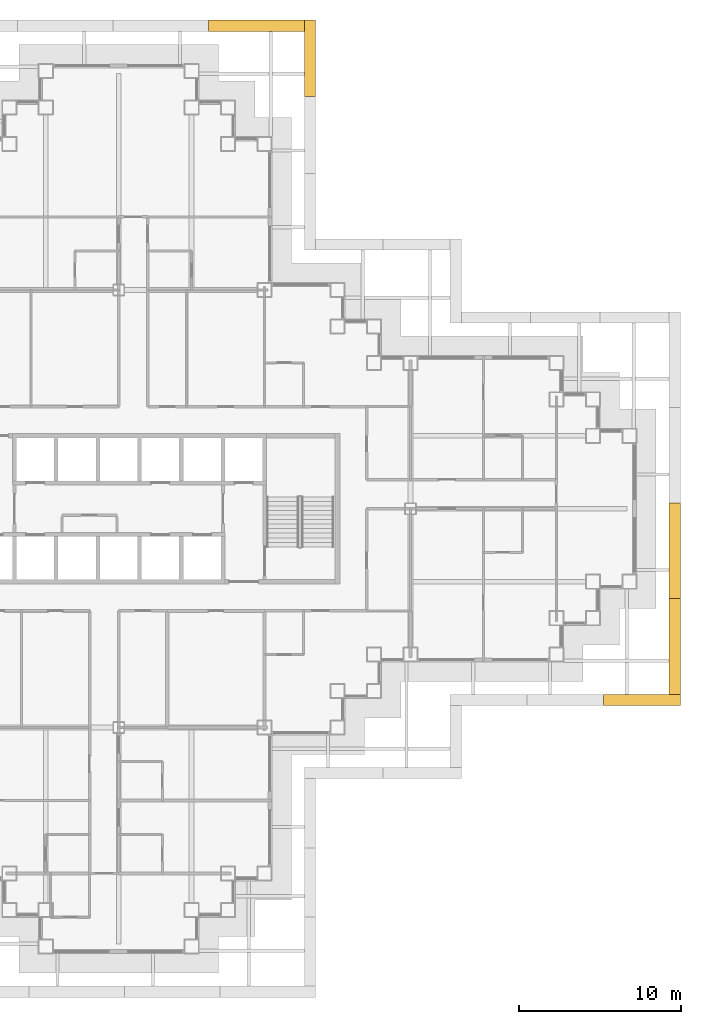
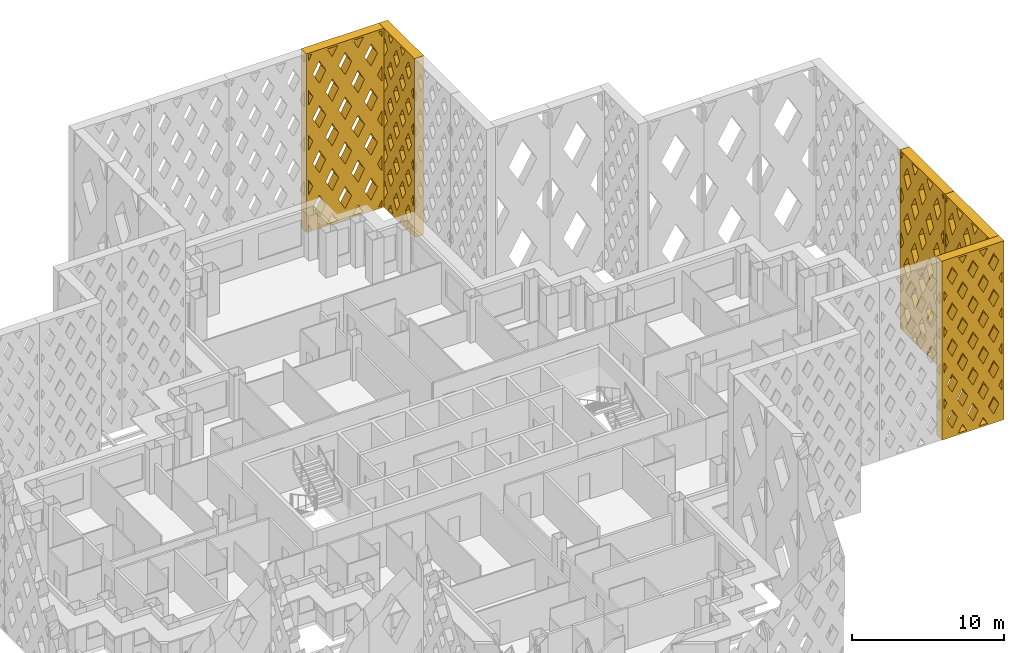
# One storey, part 20 of 21: 5 shading devices.
"""IFC4 building model written with IfcOpenShell, lengths in metres."""

from ifc_helpers import new_model, si_unit, direction, frame, origin, place, context, subcontext, project, spatial, polyline, outline, extrude, material, type_object, element, save


model = new_model("IFC4")

# Units and contexts
model_context = context("Model", 3, precision=1e-05, world=origin(), true_north=direction((0.0, 1.0)))
body_context = subcontext(model_context, "Body", "Model", "MODEL_VIEW")
ifc_project = project(units=[si_unit("LENGTHUNIT", "METRE"), si_unit("AREAUNIT", "SQUARE_METRE"), si_unit("VOLUMEUNIT", "CUBIC_METRE"), si_unit("PLANEANGLEUNIT", "RADIAN"), si_unit("MASSUNIT", "GRAM", prefix="KILO")], contexts=[model_context])

# Site, building, storey
site_placement = place(None, origin())
site = spatial("IfcSite", under=ifc_project, at=site_placement, CompositionType="ELEMENT")
building_placement = place(site_placement, origin())
building = spatial("IfcBuilding", under=site, at=building_placement, Name="Caravel Reach Hotel and Residences", CompositionType="ELEMENT")
storey_placement = place(building_placement, frame((0.0, 0.0, 100.800048828125)))
storey = spatial("IfcBuildingStorey", under=building, at=storey_placement, Name="L24", CompositionType="ELEMENT", Elevation=100.800048828125)

# Shading devices
ifc_material_1 = material(Name="Black powder-coated aluminium", Category="aluminium")
shading_device_type_1 = type_object("IfcShadingDeviceType", Name="Diamond lattice screen panel 4733 x 14400", PredefinedType="USERDEFINED", material=ifc_material_1)
shading_device_1_placement = place(storey_placement, frame((61.416748046875, 15.550048828125, 0.0), z_axis=(0.0, -1.0, 0.0), x_axis=(1.0, 0.0, 0.0)))
element("IfcShadingDevice", 1, at=shading_device_1_placement, inside=storey, type_object=shading_device_type_1, Name="Lattice screen L24-L27 6.3", ObjectType="SCREEN", PredefinedType="USERDEFINED", context=body_context, shape_type="SweptSolid", body=[
    extrude(outline(polyline([(0.0, 0.0), (4.7333984375, 0.0), (4.7333984375, 14.39990234375), (0.0, 14.39990234375), (0.0, 0.0)]), holes=[polyline([(0.39892578125, 2.8798828125), (0.14990234375, 3.334228515625), (0.14990234375, 2.42578125), (0.39892578125, 2.8798828125)]), polyline([(0.39892578125, 5.760009765625), (0.14990234375, 6.21435546875), (0.14990234375, 5.3056640625), (0.39892578125, 5.760009765625)]), polyline([(0.39892578125, 8.639892578125), (0.14990234375, 9.09423828125), (0.14990234375, 8.185791015625), (0.39892578125, 8.639892578125)]), polyline([(0.39892578125, 11.52001953125), (0.14990234375, 11.974365234375), (0.14990234375, 11.065673828125), (0.39892578125, 11.52001953125)]), polyline([(0.788818359375, 2.16796875), (0.39013671875, 1.43994140625), (0.788818359375, 0.7119140625), (1.187744140625, 1.43994140625), (0.788818359375, 2.16796875)]), polyline([(0.788818359375, 5.048095703125), (0.39013671875, 4.320068359375), (0.788818359375, 3.592041015625), (1.187744140625, 4.320068359375), (0.788818359375, 5.048095703125)]), polyline([(0.788818359375, 7.927978515625), (0.39013671875, 7.199951171875), (0.788818359375, 6.471923828125), (1.187744140625, 7.199951171875), (0.788818359375, 7.927978515625)]), polyline([(0.788818359375, 10.80810546875), (0.39013671875, 10.080078125), (0.788818359375, 9.35205078125), (1.187744140625, 10.080078125), (0.788818359375, 10.80810546875)]), polyline([(0.788818359375, 13.68798828125), (0.39013671875, 12.9599609375), (0.788818359375, 12.23193359375), (1.187744140625, 12.9599609375), (0.788818359375, 13.68798828125)]), polyline([(1.577880859375, 0.72802734375), (1.260986328125, 0.14990234375), (1.89453125, 0.14990234375), (1.577880859375, 0.72802734375)]), polyline([(1.577880859375, 3.608154296875), (1.178955078125, 2.8798828125), (1.577880859375, 2.15185546875), (1.9765625, 2.8798828125), (1.577880859375, 3.608154296875)]), polyline([(1.577880859375, 6.488037109375), (1.178955078125, 5.760009765625), (1.577880859375, 5.031982421875), (1.9765625, 5.760009765625), (1.577880859375, 6.488037109375)]), polyline([(1.577880859375, 9.3681640625), (1.178955078125, 8.639892578125), (1.577880859375, 7.911865234375), (1.9765625, 8.639892578125), (1.577880859375, 9.3681640625)]), polyline([(1.577880859375, 12.248046875), (1.178955078125, 11.52001953125), (1.577880859375, 10.7919921875), (1.9765625, 11.52001953125), (1.577880859375, 12.248046875)]), polyline([(1.577880859375, 13.671875), (1.89453125, 14.25), (1.260986328125, 14.25), (1.577880859375, 13.671875)]), polyline([(2.36669921875, 2.16796875), (1.9677734375, 1.43994140625), (2.36669921875, 0.7119140625), (2.765625, 1.43994140625), (2.36669921875, 2.16796875)]), polyline([(2.36669921875, 5.048095703125), (1.9677734375, 4.320068359375), (2.36669921875, 3.592041015625), (2.765625, 4.320068359375), (2.36669921875, 5.048095703125)]), polyline([(2.36669921875, 7.927978515625), (1.9677734375, 7.199951171875), (2.36669921875, 6.471923828125), (2.765625, 7.199951171875), (2.36669921875, 7.927978515625)]), polyline([(2.36669921875, 10.80810546875), (1.9677734375, 10.080078125), (2.36669921875, 9.35205078125), (2.765625, 10.080078125), (2.36669921875, 10.80810546875)]), polyline([(2.36669921875, 13.68798828125), (1.9677734375, 12.9599609375), (2.36669921875, 12.23193359375), (2.765625, 12.9599609375), (2.36669921875, 13.68798828125)]), polyline([(3.155517578125, 0.72802734375), (2.8388671875, 0.14990234375), (3.47216796875, 0.14990234375), (3.155517578125, 0.72802734375)]), polyline([(3.155517578125, 3.608154296875), (2.756591796875, 2.8798828125), (3.155517578125, 2.15185546875), (3.554443359375, 2.8798828125), (3.155517578125, 3.608154296875)]), polyline([(3.155517578125, 6.488037109375), (2.756591796875, 5.760009765625), (3.155517578125, 5.031982421875), (3.554443359375, 5.760009765625), (3.155517578125, 6.488037109375)]), polyline([(3.155517578125, 9.3681640625), (2.756591796875, 8.639892578125), (3.155517578125, 7.911865234375), (3.554443359375, 8.639892578125), (3.155517578125, 9.3681640625)]), polyline([(3.155517578125, 12.248046875), (2.756591796875, 11.52001953125), (3.155517578125, 10.7919921875), (3.554443359375, 11.52001953125), (3.155517578125, 12.248046875)]), polyline([(3.155517578125, 13.671875), (3.47216796875, 14.25), (2.8388671875, 14.25), (3.155517578125, 13.671875)]), polyline([(3.9443359375, 2.16796875), (3.545654296875, 1.43994140625), (3.9443359375, 0.7119140625), (4.34326171875, 1.43994140625), (3.9443359375, 2.16796875)]), polyline([(3.9443359375, 5.048095703125), (3.545654296875, 4.320068359375), (3.9443359375, 3.592041015625), (4.34326171875, 4.320068359375), (3.9443359375, 5.048095703125)]), polyline([(3.9443359375, 7.927978515625), (3.545654296875, 7.199951171875), (3.9443359375, 6.471923828125), (4.34326171875, 7.199951171875), (3.9443359375, 7.927978515625)]), polyline([(3.9443359375, 10.80810546875), (3.545654296875, 10.080078125), (3.9443359375, 9.35205078125), (4.34326171875, 10.080078125), (3.9443359375, 10.80810546875)]), polyline([(3.9443359375, 13.68798828125), (3.545654296875, 12.9599609375), (3.9443359375, 12.23193359375), (4.34326171875, 12.9599609375), (3.9443359375, 13.68798828125)]), polyline([(4.33447265625, 2.8798828125), (4.583251953125, 2.42578125), (4.583251953125, 3.334228515625), (4.33447265625, 2.8798828125)]), polyline([(4.33447265625, 5.760009765625), (4.583251953125, 5.3056640625), (4.583251953125, 6.21435546875), (4.33447265625, 5.760009765625)]), polyline([(4.33447265625, 8.639892578125), (4.583251953125, 8.185791015625), (4.583251953125, 9.09423828125), (4.33447265625, 8.639892578125)]), polyline([(4.33447265625, 11.52001953125), (4.583251953125, 11.065673828125), (4.583251953125, 11.974365234375), (4.33447265625, 11.52001953125)])]), origin(), (0.0, 0.0, 1.0), 0.699951171875),
])
shading_device_2_placement = place(storey_placement, frame((42.949951171875, 52.416748046875, 0.0), z_axis=(1.0, 0.0, 0.0), x_axis=(0.0, 1.0, 0.0)))
element("IfcShadingDevice", 2, at=shading_device_2_placement, inside=storey, type_object=shading_device_type_1, Name="Lattice screen L24-L27 11.3", ObjectType="SCREEN", PredefinedType="USERDEFINED", context=body_context, shape_type="SweptSolid", body=[
    extrude(outline(polyline([(0.0, 0.0), (4.7333984375, 0.0), (4.7333984375, 14.39990234375), (0.0, 14.39990234375), (0.0, 0.0)]), holes=[polyline([(0.39892578125, 2.8798828125), (0.14990234375, 3.334228515625), (0.14990234375, 2.42578125), (0.39892578125, 2.8798828125)]), polyline([(0.39892578125, 5.760009765625), (0.14990234375, 6.21435546875), (0.14990234375, 5.3056640625), (0.39892578125, 5.760009765625)]), polyline([(0.39892578125, 8.639892578125), (0.14990234375, 9.09423828125), (0.14990234375, 8.185791015625), (0.39892578125, 8.639892578125)]), polyline([(0.39892578125, 11.52001953125), (0.14990234375, 11.974365234375), (0.14990234375, 11.065673828125), (0.39892578125, 11.52001953125)]), polyline([(0.788818359375, 2.16796875), (0.39013671875, 1.43994140625), (0.788818359375, 0.7119140625), (1.187744140625, 1.43994140625), (0.788818359375, 2.16796875)]), polyline([(0.788818359375, 5.048095703125), (0.39013671875, 4.320068359375), (0.788818359375, 3.592041015625), (1.187744140625, 4.320068359375), (0.788818359375, 5.048095703125)]), polyline([(0.788818359375, 7.927978515625), (0.39013671875, 7.199951171875), (0.788818359375, 6.471923828125), (1.187744140625, 7.199951171875), (0.788818359375, 7.927978515625)]), polyline([(0.788818359375, 10.80810546875), (0.39013671875, 10.080078125), (0.788818359375, 9.35205078125), (1.187744140625, 10.080078125), (0.788818359375, 10.80810546875)]), polyline([(0.788818359375, 13.68798828125), (0.39013671875, 12.9599609375), (0.788818359375, 12.23193359375), (1.187744140625, 12.9599609375), (0.788818359375, 13.68798828125)]), polyline([(1.577880859375, 0.72802734375), (1.260986328125, 0.14990234375), (1.89453125, 0.14990234375), (1.577880859375, 0.72802734375)]), polyline([(1.577880859375, 3.608154296875), (1.178955078125, 2.8798828125), (1.577880859375, 2.15185546875), (1.9765625, 2.8798828125), (1.577880859375, 3.608154296875)]), polyline([(1.577880859375, 6.488037109375), (1.178955078125, 5.760009765625), (1.577880859375, 5.031982421875), (1.9765625, 5.760009765625), (1.577880859375, 6.488037109375)]), polyline([(1.577880859375, 9.3681640625), (1.178955078125, 8.639892578125), (1.577880859375, 7.911865234375), (1.9765625, 8.639892578125), (1.577880859375, 9.3681640625)]), polyline([(1.577880859375, 12.248046875), (1.178955078125, 11.52001953125), (1.577880859375, 10.7919921875), (1.9765625, 11.52001953125), (1.577880859375, 12.248046875)]), polyline([(1.577880859375, 13.671875), (1.89453125, 14.25), (1.260986328125, 14.25), (1.577880859375, 13.671875)]), polyline([(2.36669921875, 2.16796875), (1.9677734375, 1.43994140625), (2.36669921875, 0.7119140625), (2.765625, 1.43994140625), (2.36669921875, 2.16796875)]), polyline([(2.36669921875, 5.048095703125), (1.9677734375, 4.320068359375), (2.36669921875, 3.592041015625), (2.765625, 4.320068359375), (2.36669921875, 5.048095703125)]), polyline([(2.36669921875, 7.927978515625), (1.9677734375, 7.199951171875), (2.36669921875, 6.471923828125), (2.765625, 7.199951171875), (2.36669921875, 7.927978515625)]), polyline([(2.36669921875, 10.80810546875), (1.9677734375, 10.080078125), (2.36669921875, 9.35205078125), (2.765625, 10.080078125), (2.36669921875, 10.80810546875)]), polyline([(2.36669921875, 13.68798828125), (1.9677734375, 12.9599609375), (2.36669921875, 12.23193359375), (2.765625, 12.9599609375), (2.36669921875, 13.68798828125)]), polyline([(3.155517578125, 0.72802734375), (2.8388671875, 0.14990234375), (3.47216796875, 0.14990234375), (3.155517578125, 0.72802734375)]), polyline([(3.155517578125, 3.608154296875), (2.756591796875, 2.8798828125), (3.155517578125, 2.15185546875), (3.554443359375, 2.8798828125), (3.155517578125, 3.608154296875)]), polyline([(3.155517578125, 6.488037109375), (2.756591796875, 5.760009765625), (3.155517578125, 5.031982421875), (3.554443359375, 5.760009765625), (3.155517578125, 6.488037109375)]), polyline([(3.155517578125, 9.3681640625), (2.756591796875, 8.639892578125), (3.155517578125, 7.911865234375), (3.554443359375, 8.639892578125), (3.155517578125, 9.3681640625)]), polyline([(3.155517578125, 12.248046875), (2.756591796875, 11.52001953125), (3.155517578125, 10.7919921875), (3.554443359375, 11.52001953125), (3.155517578125, 12.248046875)]), polyline([(3.155517578125, 13.671875), (3.47216796875, 14.25), (2.8388671875, 14.25), (3.155517578125, 13.671875)]), polyline([(3.9443359375, 2.16796875), (3.545654296875, 1.43994140625), (3.9443359375, 0.7119140625), (4.34326171875, 1.43994140625), (3.9443359375, 2.16796875)]), polyline([(3.9443359375, 5.048095703125), (3.545654296875, 4.320068359375), (3.9443359375, 3.592041015625), (4.34326171875, 4.320068359375), (3.9443359375, 5.048095703125)]), polyline([(3.9443359375, 7.927978515625), (3.545654296875, 7.199951171875), (3.9443359375, 6.471923828125), (4.34326171875, 7.199951171875), (3.9443359375, 7.927978515625)]), polyline([(3.9443359375, 10.80810546875), (3.545654296875, 10.080078125), (3.9443359375, 9.35205078125), (4.34326171875, 10.080078125), (3.9443359375, 10.80810546875)]), polyline([(3.9443359375, 13.68798828125), (3.545654296875, 12.9599609375), (3.9443359375, 12.23193359375), (4.34326171875, 12.9599609375), (3.9443359375, 13.68798828125)]), polyline([(4.33447265625, 2.8798828125), (4.583251953125, 2.42578125), (4.583251953125, 3.334228515625), (4.33447265625, 2.8798828125)]), polyline([(4.33447265625, 5.760009765625), (4.583251953125, 5.3056640625), (4.583251953125, 6.21435546875), (4.33447265625, 5.760009765625)]), polyline([(4.33447265625, 8.639892578125), (4.583251953125, 8.185791015625), (4.583251953125, 9.09423828125), (4.33447265625, 8.639892578125)]), polyline([(4.33447265625, 11.52001953125), (4.583251953125, 11.065673828125), (4.583251953125, 11.974365234375), (4.33447265625, 11.52001953125)])]), origin(), (0.0, 0.0, 1.0), 0.699951171875),
])
ifc_material_2 = material(Name="Black powder-coated aluminium", Category="aluminium")
shading_device_type_2 = type_object("IfcShadingDeviceType", Name="Diamond lattice screen panel 5900 x 14400", PredefinedType="USERDEFINED", material=ifc_material_2)
shading_device_3_placement = place(storey_placement, frame((65.449951171875, 15.550048828125, 0.0), z_axis=(1.0, 0.0, 0.0), x_axis=(0.0, 1.0, 0.0)))
element("IfcShadingDevice", 3, at=shading_device_3_placement, inside=storey, type_object=shading_device_type_2, Name="Lattice screen L24-L27 7.1", ObjectType="SCREEN", PredefinedType="USERDEFINED", context=body_context, shape_type="SweptSolid", body=[
    extrude(outline(polyline([(0.0, 0.0), (5.89990234375, 0.0), (5.89990234375, 14.39990234375), (0.0, 14.39990234375), (0.0, 0.0)]), holes=[polyline([(0.40966796875, 0.14990234375), (0.14990234375, 0.62548828125), (0.14990234375, 0.14990234375), (0.40966796875, 0.14990234375)]), polyline([(0.49169921875, 3.60009765625), (0.14990234375, 4.2255859375), (0.14990234375, 2.974609375), (0.49169921875, 3.60009765625)]), polyline([(0.49169921875, 7.199951171875), (0.14990234375, 7.825439453125), (0.14990234375, 6.574462890625), (0.49169921875, 7.199951171875)]), polyline([(0.49169921875, 10.800048828125), (0.14990234375, 11.425537109375), (0.14990234375, 10.174560546875), (0.49169921875, 10.800048828125)]), polyline([(0.14990234375, 13.7744140625), (0.40966796875, 14.25), (0.14990234375, 14.25), (0.14990234375, 13.7744140625)]), polyline([(0.9833984375, 2.699951171875), (0.49169921875, 1.800048828125), (0.9833984375, 0.89990234375), (1.47509765625, 1.800048828125), (0.9833984375, 2.699951171875)]), polyline([(0.9833984375, 6.300048828125), (0.49169921875, 5.39990234375), (0.9833984375, 4.5), (1.47509765625, 5.39990234375), (0.9833984375, 6.300048828125)]), polyline([(0.9833984375, 9.900146484375), (0.49169921875, 9.0), (0.9833984375, 8.099853515625), (1.47509765625, 9.0), (0.9833984375, 9.900146484375)]), polyline([(0.9833984375, 13.5), (0.49169921875, 12.60009765625), (0.9833984375, 11.699951171875), (1.47509765625, 12.60009765625), (0.9833984375, 13.5)]), polyline([(1.966552734375, 0.900146484375), (1.556884765625, 0.14990234375), (2.37646484375, 0.14990234375), (1.966552734375, 0.900146484375)]), polyline([(1.966552734375, 4.5), (1.474853515625, 3.60009765625), (1.966552734375, 2.699951171875), (2.458251953125, 3.60009765625), (1.966552734375, 4.5)]), polyline([(1.966552734375, 8.10009765625), (1.474853515625, 7.199951171875), (1.966552734375, 6.300048828125), (2.458251953125, 7.199951171875), (1.966552734375, 8.10009765625)]), polyline([(1.966552734375, 11.699951171875), (1.474853515625, 10.800048828125), (1.966552734375, 9.89990234375), (2.458251953125, 10.800048828125), (1.966552734375, 11.699951171875)]), polyline([(1.966552734375, 13.5), (2.37646484375, 14.25), (1.556884765625, 14.25), (1.966552734375, 13.5)]), polyline([(2.949951171875, 2.699951171875), (2.458251953125, 1.800048828125), (2.949951171875, 0.89990234375), (3.441650390625, 1.800048828125), (2.949951171875, 2.699951171875)]), polyline([(2.949951171875, 6.300048828125), (2.458251953125, 5.39990234375), (2.949951171875, 4.5), (3.441650390625, 5.39990234375), (2.949951171875, 6.300048828125)]), polyline([(2.949951171875, 9.900146484375), (2.458251953125, 9.0), (2.949951171875, 8.099853515625), (3.441650390625, 9.0), (2.949951171875, 9.900146484375)]), polyline([(2.949951171875, 13.5), (2.458251953125, 12.60009765625), (2.949951171875, 11.699951171875), (3.441650390625, 12.60009765625), (2.949951171875, 13.5)]), polyline([(3.933349609375, 0.900146484375), (3.523681640625, 0.14990234375), (4.343017578125, 0.14990234375), (3.933349609375, 0.900146484375)]), polyline([(3.933349609375, 4.5), (3.441650390625, 3.60009765625), (3.933349609375, 2.699951171875), (4.425048828125, 3.60009765625), (3.933349609375, 4.5)]), polyline([(3.933349609375, 8.10009765625), (3.441650390625, 7.199951171875), (3.933349609375, 6.300048828125), (4.425048828125, 7.199951171875), (3.933349609375, 8.10009765625)]), polyline([(3.933349609375, 11.699951171875), (3.441650390625, 10.800048828125), (3.933349609375, 9.89990234375), (4.425048828125, 10.800048828125), (3.933349609375, 11.699951171875)]), polyline([(3.933349609375, 13.5), (4.343017578125, 14.25), (3.523681640625, 14.25), (3.933349609375, 13.5)]), polyline([(4.916748046875, 2.699951171875), (4.425048828125, 1.800048828125), (4.916748046875, 0.89990234375), (5.408447265625, 1.800048828125), (4.916748046875, 2.699951171875)]), polyline([(4.916748046875, 6.300048828125), (4.425048828125, 5.39990234375), (4.916748046875, 4.5), (5.408447265625, 5.39990234375), (4.916748046875, 6.300048828125)]), polyline([(4.916748046875, 9.900146484375), (4.425048828125, 9.0), (4.916748046875, 8.099853515625), (5.408447265625, 9.0), (4.916748046875, 9.900146484375)]), polyline([(4.916748046875, 13.5), (4.425048828125, 12.60009765625), (4.916748046875, 11.699951171875), (5.408447265625, 12.60009765625), (4.916748046875, 13.5)]), polyline([(5.75, 0.62548828125), (5.490234375, 0.14990234375), (5.75, 0.14990234375), (5.75, 0.62548828125)]), polyline([(5.408203125, 3.60009765625), (5.75, 2.974609375), (5.75, 4.2255859375), (5.408203125, 3.60009765625)]), polyline([(5.408203125, 7.199951171875), (5.75, 6.574462890625), (5.75, 7.825439453125), (5.408203125, 7.199951171875)]), polyline([(5.408203125, 10.800048828125), (5.75, 10.174560546875), (5.75, 11.425537109375), (5.408203125, 10.800048828125)]), polyline([(5.490234375, 14.25), (5.75, 13.7744140625), (5.75, 14.25), (5.490234375, 14.25)])]), origin(), (0.0, 0.0, 1.0), 0.699951171875),
])
shading_device_4_placement = place(storey_placement, frame((65.449951171875, 21.449951171875, 0.0), z_axis=(1.0, 0.0, 0.0), x_axis=(0.0, 1.0, 0.0)))
element("IfcShadingDevice", 4, at=shading_device_4_placement, inside=storey, type_object=shading_device_type_2, Name="Lattice screen L24-L27 7.2", ObjectType="SCREEN", PredefinedType="USERDEFINED", context=body_context, shape_type="SweptSolid", body=[
    extrude(outline(polyline([(0.0, 0.0), (5.89990234375, 0.0), (5.89990234375, 14.39990234375), (0.0, 14.39990234375), (0.0, 0.0)]), holes=[polyline([(0.40966796875, 0.14990234375), (0.14990234375, 0.62548828125), (0.14990234375, 0.14990234375), (0.40966796875, 0.14990234375)]), polyline([(0.49169921875, 3.60009765625), (0.14990234375, 4.2255859375), (0.14990234375, 2.974609375), (0.49169921875, 3.60009765625)]), polyline([(0.49169921875, 7.199951171875), (0.14990234375, 7.825439453125), (0.14990234375, 6.574462890625), (0.49169921875, 7.199951171875)]), polyline([(0.49169921875, 10.800048828125), (0.14990234375, 11.425537109375), (0.14990234375, 10.174560546875), (0.49169921875, 10.800048828125)]), polyline([(0.14990234375, 13.7744140625), (0.40966796875, 14.25), (0.14990234375, 14.25), (0.14990234375, 13.7744140625)]), polyline([(0.9833984375, 2.699951171875), (0.49169921875, 1.800048828125), (0.9833984375, 0.89990234375), (1.47509765625, 1.800048828125), (0.9833984375, 2.699951171875)]), polyline([(0.9833984375, 6.300048828125), (0.49169921875, 5.39990234375), (0.9833984375, 4.5), (1.47509765625, 5.39990234375), (0.9833984375, 6.300048828125)]), polyline([(0.9833984375, 9.900146484375), (0.49169921875, 9.0), (0.9833984375, 8.099853515625), (1.47509765625, 9.0), (0.9833984375, 9.900146484375)]), polyline([(0.9833984375, 13.5), (0.49169921875, 12.60009765625), (0.9833984375, 11.699951171875), (1.47509765625, 12.60009765625), (0.9833984375, 13.5)]), polyline([(1.966552734375, 0.900146484375), (1.556884765625, 0.14990234375), (2.37646484375, 0.14990234375), (1.966552734375, 0.900146484375)]), polyline([(1.966552734375, 4.5), (1.474853515625, 3.60009765625), (1.966552734375, 2.699951171875), (2.458251953125, 3.60009765625), (1.966552734375, 4.5)]), polyline([(1.966552734375, 8.10009765625), (1.474853515625, 7.199951171875), (1.966552734375, 6.300048828125), (2.458251953125, 7.199951171875), (1.966552734375, 8.10009765625)]), polyline([(1.966552734375, 11.699951171875), (1.474853515625, 10.800048828125), (1.966552734375, 9.89990234375), (2.458251953125, 10.800048828125), (1.966552734375, 11.699951171875)]), polyline([(1.966552734375, 13.5), (2.37646484375, 14.25), (1.556884765625, 14.25), (1.966552734375, 13.5)]), polyline([(2.949951171875, 2.699951171875), (2.458251953125, 1.800048828125), (2.949951171875, 0.89990234375), (3.441650390625, 1.800048828125), (2.949951171875, 2.699951171875)]), polyline([(2.949951171875, 6.300048828125), (2.458251953125, 5.39990234375), (2.949951171875, 4.5), (3.441650390625, 5.39990234375), (2.949951171875, 6.300048828125)]), polyline([(2.949951171875, 9.900146484375), (2.458251953125, 9.0), (2.949951171875, 8.099853515625), (3.441650390625, 9.0), (2.949951171875, 9.900146484375)]), polyline([(2.949951171875, 13.5), (2.458251953125, 12.60009765625), (2.949951171875, 11.699951171875), (3.441650390625, 12.60009765625), (2.949951171875, 13.5)]), polyline([(3.933349609375, 0.900146484375), (3.523681640625, 0.14990234375), (4.343017578125, 0.14990234375), (3.933349609375, 0.900146484375)]), polyline([(3.933349609375, 4.5), (3.441650390625, 3.60009765625), (3.933349609375, 2.699951171875), (4.425048828125, 3.60009765625), (3.933349609375, 4.5)]), polyline([(3.933349609375, 8.10009765625), (3.441650390625, 7.199951171875), (3.933349609375, 6.300048828125), (4.425048828125, 7.199951171875), (3.933349609375, 8.10009765625)]), polyline([(3.933349609375, 11.699951171875), (3.441650390625, 10.800048828125), (3.933349609375, 9.89990234375), (4.425048828125, 10.800048828125), (3.933349609375, 11.699951171875)]), polyline([(3.933349609375, 13.5), (4.343017578125, 14.25), (3.523681640625, 14.25), (3.933349609375, 13.5)]), polyline([(4.916748046875, 2.699951171875), (4.425048828125, 1.800048828125), (4.916748046875, 0.89990234375), (5.408447265625, 1.800048828125), (4.916748046875, 2.699951171875)]), polyline([(4.916748046875, 6.300048828125), (4.425048828125, 5.39990234375), (4.916748046875, 4.5), (5.408447265625, 5.39990234375), (4.916748046875, 6.300048828125)]), polyline([(4.916748046875, 9.900146484375), (4.425048828125, 9.0), (4.916748046875, 8.099853515625), (5.408447265625, 9.0), (4.916748046875, 9.900146484375)]), polyline([(4.916748046875, 13.5), (4.425048828125, 12.60009765625), (4.916748046875, 11.699951171875), (5.408447265625, 12.60009765625), (4.916748046875, 13.5)]), polyline([(5.75, 0.62548828125), (5.490234375, 0.14990234375), (5.75, 0.14990234375), (5.75, 0.62548828125)]), polyline([(5.408203125, 3.60009765625), (5.75, 2.974609375), (5.75, 4.2255859375), (5.408203125, 3.60009765625)]), polyline([(5.408203125, 7.199951171875), (5.75, 6.574462890625), (5.75, 7.825439453125), (5.408203125, 7.199951171875)]), polyline([(5.408203125, 10.800048828125), (5.75, 10.174560546875), (5.75, 11.425537109375), (5.408203125, 10.800048828125)]), polyline([(5.490234375, 14.25), (5.75, 13.7744140625), (5.75, 14.25), (5.490234375, 14.25)])]), origin(), (0.0, 0.0, 1.0), 0.699951171875),
])
shading_device_5_placement = place(storey_placement, frame((42.949951171875, 56.449951171875, 0.0), z_axis=(0.0, 1.0, 0.0), x_axis=(-1.0, 0.0, 0.0)))
element("IfcShadingDevice", 5, at=shading_device_5_placement, inside=storey, type_object=shading_device_type_2, Name="Lattice screen L24-L27 12.1", ObjectType="SCREEN", PredefinedType="USERDEFINED", context=body_context, shape_type="SweptSolid", body=[
    extrude(outline(polyline([(0.0, 0.0), (5.89990234375, 0.0), (5.89990234375, 14.39990234375), (0.0, 14.39990234375), (0.0, 0.0)]), holes=[polyline([(0.40966796875, 0.14990234375), (0.14990234375, 0.62548828125), (0.14990234375, 0.14990234375), (0.40966796875, 0.14990234375)]), polyline([(0.49169921875, 3.60009765625), (0.14990234375, 4.2255859375), (0.14990234375, 2.974609375), (0.49169921875, 3.60009765625)]), polyline([(0.49169921875, 7.199951171875), (0.14990234375, 7.825439453125), (0.14990234375, 6.574462890625), (0.49169921875, 7.199951171875)]), polyline([(0.49169921875, 10.800048828125), (0.14990234375, 11.425537109375), (0.14990234375, 10.174560546875), (0.49169921875, 10.800048828125)]), polyline([(0.14990234375, 13.7744140625), (0.40966796875, 14.25), (0.14990234375, 14.25), (0.14990234375, 13.7744140625)]), polyline([(0.9833984375, 2.699951171875), (0.49169921875, 1.800048828125), (0.9833984375, 0.89990234375), (1.47509765625, 1.800048828125), (0.9833984375, 2.699951171875)]), polyline([(0.9833984375, 6.300048828125), (0.49169921875, 5.39990234375), (0.9833984375, 4.5), (1.47509765625, 5.39990234375), (0.9833984375, 6.300048828125)]), polyline([(0.9833984375, 9.900146484375), (0.49169921875, 9.0), (0.9833984375, 8.099853515625), (1.47509765625, 9.0), (0.9833984375, 9.900146484375)]), polyline([(0.9833984375, 13.5), (0.49169921875, 12.60009765625), (0.9833984375, 11.699951171875), (1.47509765625, 12.60009765625), (0.9833984375, 13.5)]), polyline([(1.966552734375, 0.900146484375), (1.556884765625, 0.14990234375), (2.37646484375, 0.14990234375), (1.966552734375, 0.900146484375)]), polyline([(1.966552734375, 4.5), (1.474853515625, 3.60009765625), (1.966552734375, 2.699951171875), (2.458251953125, 3.60009765625), (1.966552734375, 4.5)]), polyline([(1.966552734375, 8.10009765625), (1.474853515625, 7.199951171875), (1.966552734375, 6.300048828125), (2.458251953125, 7.199951171875), (1.966552734375, 8.10009765625)]), polyline([(1.966552734375, 11.699951171875), (1.474853515625, 10.800048828125), (1.966552734375, 9.89990234375), (2.458251953125, 10.800048828125), (1.966552734375, 11.699951171875)]), polyline([(1.966552734375, 13.5), (2.37646484375, 14.25), (1.556884765625, 14.25), (1.966552734375, 13.5)]), polyline([(2.949951171875, 2.699951171875), (2.458251953125, 1.800048828125), (2.949951171875, 0.89990234375), (3.441650390625, 1.800048828125), (2.949951171875, 2.699951171875)]), polyline([(2.949951171875, 6.300048828125), (2.458251953125, 5.39990234375), (2.949951171875, 4.5), (3.441650390625, 5.39990234375), (2.949951171875, 6.300048828125)]), polyline([(2.949951171875, 9.900146484375), (2.458251953125, 9.0), (2.949951171875, 8.099853515625), (3.441650390625, 9.0), (2.949951171875, 9.900146484375)]), polyline([(2.949951171875, 13.5), (2.458251953125, 12.60009765625), (2.949951171875, 11.699951171875), (3.441650390625, 12.60009765625), (2.949951171875, 13.5)]), polyline([(3.933349609375, 0.900146484375), (3.523681640625, 0.14990234375), (4.343017578125, 0.14990234375), (3.933349609375, 0.900146484375)]), polyline([(3.933349609375, 4.5), (3.441650390625, 3.60009765625), (3.933349609375, 2.699951171875), (4.425048828125, 3.60009765625), (3.933349609375, 4.5)]), polyline([(3.933349609375, 8.10009765625), (3.441650390625, 7.199951171875), (3.933349609375, 6.300048828125), (4.425048828125, 7.199951171875), (3.933349609375, 8.10009765625)]), polyline([(3.933349609375, 11.699951171875), (3.441650390625, 10.800048828125), (3.933349609375, 9.89990234375), (4.425048828125, 10.800048828125), (3.933349609375, 11.699951171875)]), polyline([(3.933349609375, 13.5), (4.343017578125, 14.25), (3.523681640625, 14.25), (3.933349609375, 13.5)]), polyline([(4.916748046875, 2.699951171875), (4.425048828125, 1.800048828125), (4.916748046875, 0.89990234375), (5.408447265625, 1.800048828125), (4.916748046875, 2.699951171875)]), polyline([(4.916748046875, 6.300048828125), (4.425048828125, 5.39990234375), (4.916748046875, 4.5), (5.408447265625, 5.39990234375), (4.916748046875, 6.300048828125)]), polyline([(4.916748046875, 9.900146484375), (4.425048828125, 9.0), (4.916748046875, 8.099853515625), (5.408447265625, 9.0), (4.916748046875, 9.900146484375)]), polyline([(4.916748046875, 13.5), (4.425048828125, 12.60009765625), (4.916748046875, 11.699951171875), (5.408447265625, 12.60009765625), (4.916748046875, 13.5)]), polyline([(5.75, 0.62548828125), (5.490234375, 0.14990234375), (5.75, 0.14990234375), (5.75, 0.62548828125)]), polyline([(5.408203125, 3.60009765625), (5.75, 2.974609375), (5.75, 4.2255859375), (5.408203125, 3.60009765625)]), polyline([(5.408203125, 7.199951171875), (5.75, 6.574462890625), (5.75, 7.825439453125), (5.408203125, 7.199951171875)]), polyline([(5.408203125, 10.800048828125), (5.75, 10.174560546875), (5.75, 11.425537109375), (5.408203125, 10.800048828125)]), polyline([(5.490234375, 14.25), (5.75, 13.7744140625), (5.75, 14.25), (5.490234375, 14.25)])]), origin(), (0.0, 0.0, 1.0), 0.699951171875),
])

save(model, "model.ifc")
